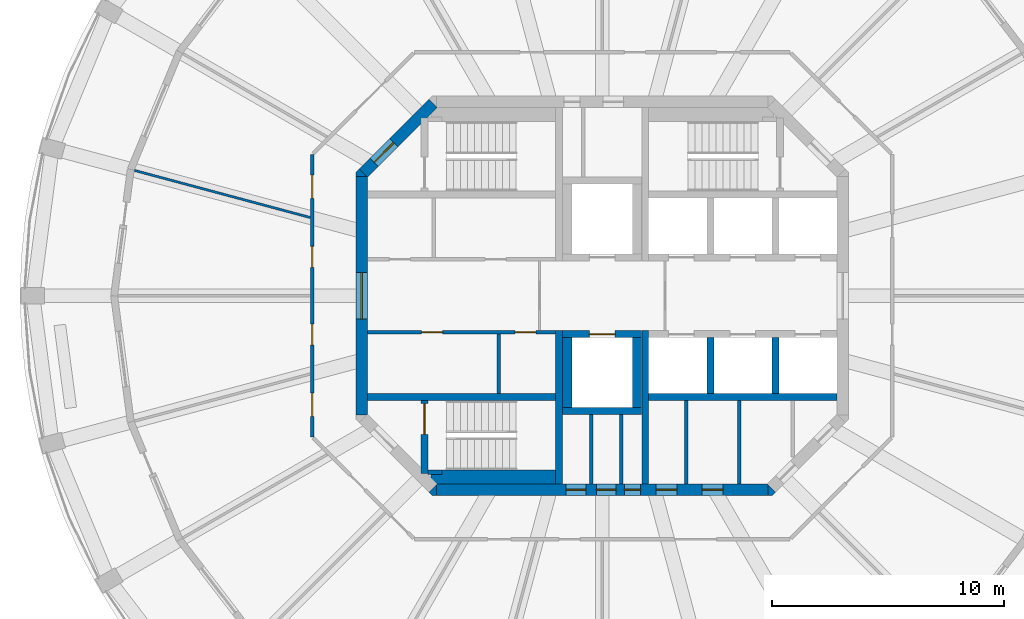
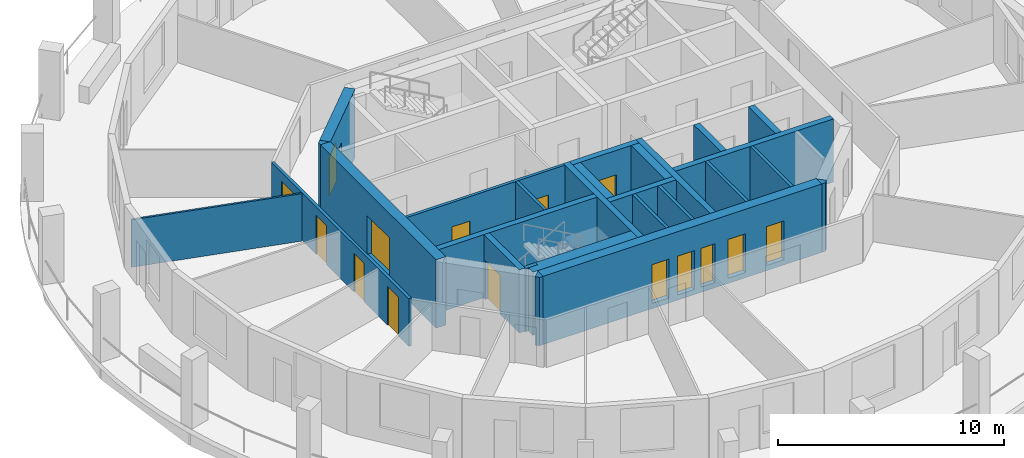
# One storey, part 3 of 9: 27 walls, 15 doors, 15 openings.
"""IFC4 building model written with IfcOpenShell, lengths in metres."""

import ifcopenshell
import ifcopenshell.guid

model = None  # the IFC model being written
_history = None  # IfcOwnerHistory: only IFC2X3 demands one
_inside = {}  # id of a spatial element -> (the spatial element, [elements in it])
_under = {}  # id of a project, library or spatial element -> (it, [spatial elements below it])
_declared = {}  # id of a project -> (the project, [libraries it declares])
_typed = {}  # id of a type object -> (the type object, [elements of that type])
_made_of = {}  # id of a material, layer set ... -> (it, [elements and type objects made of it])


def new_model(schema):
    """Start an empty IFC model of exactly this schema.

    Asked for "IFC4X3", IfcOpenShell would pick the latest addendum, in which some entities
    have other attributes; the version numbers below select the first issue.
    IFC2X3 requires an IfcOwnerHistory on every rooted entity: one is made here for all.
    """
    global model, _history
    if schema == "IFC4X3":
        model = ifcopenshell.file(schema_version=(4, 3, 0, 0))
    else:
        model = ifcopenshell.file(schema=schema)
    _inside.clear()
    _under.clear()
    _declared.clear()
    _typed.clear()
    _made_of.clear()
    _history = None
    if model.schema == "IFC2X3":
        org = make("IfcOrganization", Name="unknown")
        user = make(
            "IfcPersonAndOrganization",
            ThePerson=make("IfcPerson", FamilyName="unknown"),
            TheOrganization=org,
        )
        app = make(
            "IfcApplication",
            ApplicationDeveloper=org,
            Version="unknown",
            ApplicationFullName="unknown",
            ApplicationIdentifier="unknown",
        )
        _history = make(
            "IfcOwnerHistory",
            OwningUser=user,
            OwningApplication=app,
            ChangeAction="ADDED",
            CreationDate=0,
        )
    return model


def make(cls, **values):
    """One entity of the class cls with the attributes given. An attribute that is None is left unset."""
    return model.create_entity(
        cls, **{name: value for name, value in values.items() if value is not None}
    )


def rooted(cls, **values):
    """An entity with a GlobalId (a new one), such as an element, a storey or a relation."""
    return make(cls, GlobalId=ifcopenshell.guid.new(), OwnerHistory=_history, **values)


def si_unit(unit_type, name, prefix=None):
    """IfcSIUnit, for example si_unit("LENGTHUNIT", "METRE", prefix="MILLI")."""
    return make("IfcSIUnit", UnitType=unit_type, Prefix=prefix, Name=name)


def assignment(units):
    """IfcUnitAssignment: the units of a project."""
    return None if units is None else make("IfcUnitAssignment", Units=units)


def point(xyz):
    """IfcCartesianPoint."""
    return None if xyz is None else make("IfcCartesianPoint", Coordinates=xyz)


def direction(xyz):
    """IfcDirection."""
    return None if xyz is None else make("IfcDirection", DirectionRatios=xyz)


def frame(location, z_axis=None, x_axis=None):
    """IfcAxis2Placement3D, a coordinate frame: its origin and axes. An axis left out is left unset."""
    return make(
        "IfcAxis2Placement3D",
        Location=point(location),
        Axis=direction(z_axis),
        RefDirection=direction(x_axis),
    )


def frame_2d(location, x_axis=None):
    """IfcAxis2Placement2D, a coordinate frame in the plane: its origin and x axis."""
    return make(
        "IfcAxis2Placement2D", Location=point(location), RefDirection=direction(x_axis)
    )


def origin():
    """The frame at (0, 0, 0) with its axes left unset."""
    return frame((0.0, 0.0, 0.0))


def place(relative_to, where):
    """IfcLocalPlacement: puts the frame where relative to a parent placement (None: the world)."""
    return make(
        "IfcLocalPlacement", PlacementRelTo=relative_to, RelativePlacement=where
    )


def context(
    kind, dimensions, precision=None, world=None, true_north=None, identifier=None
):
    """IfcGeometricRepresentationContext, for example the 3D "Model" context."""
    return make(
        "IfcGeometricRepresentationContext",
        ContextIdentifier=identifier,
        ContextType=kind,
        CoordinateSpaceDimension=dimensions,
        Precision=precision,
        WorldCoordinateSystem=world,
        TrueNorth=true_north,
    )


def subcontext(parent, identifier, kind, view, scale=None):
    """IfcGeometricRepresentationSubContext, for example "Body" below "Model"."""
    return make(
        "IfcGeometricRepresentationSubContext",
        ContextIdentifier=identifier,
        ContextType=kind,
        ParentContext=parent,
        TargetScale=scale,
        TargetView=view,
    )


def project(units=None, contexts=None):
    """IfcProject with its units and contexts."""
    return rooted(
        "IfcProject",
        Name="project",
        RepresentationContexts=contexts,
        UnitsInContext=assignment(units),
    )


def spatial(cls, under=None, at=None, **own):
    """A site, building, storey or space (cls), placed at a placement, below another one or the project."""
    s = rooted(cls, ObjectPlacement=at, **own)
    if under is not None:
        _under.setdefault(under.id(), (under, []))[1].append(s)
    return s


def polyline(points):
    """IfcPolyline through the points."""
    return make("IfcPolyline", Points=[point(p) for p in points])


def profile(cls, at=None, kind="AREA", **sizes):
    """A parametric profile (cls). Its sizes go by their IFC names, for example OverallWidth=200.0."""
    return make(cls, ProfileType=kind, Position=at, **sizes)


def rectangle(**sizes):
    """IfcRectangleProfileDef."""
    return profile("IfcRectangleProfileDef", **sizes)


def outline(outer, holes=None, kind="AREA"):
    """IfcArbitraryClosedProfileDef: a profile drawn as a closed curve; with holes, ...WithVoids."""
    if holes is None:
        return make("IfcArbitraryClosedProfileDef", ProfileType=kind, OuterCurve=outer)
    return make(
        "IfcArbitraryProfileDefWithVoids",
        ProfileType=kind,
        OuterCurve=outer,
        InnerCurves=holes,
    )


def extrude(swept, where, along, depth):
    """IfcExtrudedAreaSolid: the profile swept, set in the frame where, extruded along a direction by depth."""
    return make(
        "IfcExtrudedAreaSolid",
        SweptArea=swept,
        Position=where,
        ExtrudedDirection=direction(along),
        Depth=depth,
    )


def shape(context_of_items, identifier, shape_type, items):
    """IfcShapeRepresentation: the items that make up one representation, for example the "Body"."""
    return make(
        "IfcShapeRepresentation",
        ContextOfItems=context_of_items,
        RepresentationIdentifier=identifier,
        RepresentationType=shape_type,
        Items=items,
    )


def material(Name=None, Category=None):
    """IfcMaterial."""
    return make("IfcMaterial", Name=Name, Category=Category)


def layer(
    of_material, thickness, ventilated=None, Name=None, Category=None, Priority=None
):
    """IfcMaterialLayer: one layer of a wall or slab, of a material (None: an air gap)."""
    return make(
        "IfcMaterialLayer",
        Material=of_material,
        LayerThickness=thickness,
        IsVentilated=ventilated,
        Name=Name,
        Category=Category,
        Priority=Priority,
    )


def layer_set(layers, Name=None):
    """IfcMaterialLayerSet."""
    return make("IfcMaterialLayerSet", MaterialLayers=layers, LayerSetName=Name)


def made_of(thing, what):
    """Note that an element or type object is made of a material, layer set ...; save() writes the relation."""
    if what is not None:
        _made_of.setdefault(what.id(), (what, []))[1].append(thing)
    return thing


def type_object(cls, material=None, **own):
    """A type object (cls), such as IfcWallType, which elements share."""
    return made_of(rooted(cls, **own), material)


def element(
    cls,
    number,
    at=None,
    inside=None,
    cuts=None,
    type_object=None,
    material=None,
    context=None,
    identifier="Body",
    shape_type=None,
    held_by="IfcProductDefinitionShape",
    body=None,
    shapes=None,
    **own,
):
    """One element of the class cls, such as IfcWall. Its Tag is "e" and its number.

    at: its placement. inside: the storey or other place that contains it. cuts: it is an
    opening in that element (IfcRelVoidsElement). A single representation is given by context,
    identifier, shape_type and body (its items); several are given by shapes. held_by: the class
    of the entity that holds the representations. save() writes the other relations.
    """
    e = rooted(cls, Tag="e%d" % number, ObjectPlacement=at, **own)
    if body is not None:
        shapes = [shape(context, identifier, shape_type, body)]
    if shapes is not None:
        e.Representation = make(held_by, Representations=shapes)
    if inside is not None:
        _inside.setdefault(inside.id(), (inside, []))[1].append(e)
    if cuts is not None:
        rooted(
            "IfcRelVoidsElement", RelatingBuildingElement=cuts, RelatedOpeningElement=e
        )
    if type_object is not None:
        _typed.setdefault(type_object.id(), (type_object, []))[1].append(e)
    return made_of(e, material)


def fill(opening, filler):
    """IfcRelFillsElement: the door or window that sits in an opening."""
    return rooted(
        "IfcRelFillsElement",
        RelatingOpeningElement=opening,
        RelatedBuildingElement=filler,
    )


def aggregate(whole, parts):
    """IfcRelAggregates: a whole, such as a stair, and the parts it consists of."""
    return rooted("IfcRelAggregates", RelatingObject=whole, RelatedObjects=parts)


def save(model, path):
    """Write the relations noted so far, then the file.

    IfcRelAggregates (storeys below a building ...), IfcRelContainedInSpatialStructure (elements
    in a storey), IfcRelDefinesByType, IfcRelAssociatesMaterial and IfcRelDeclares: one each for
    every whole, place, type object, material and project.
    """
    for whole, parts in _under.values():
        aggregate(whole, parts)
    for where, things in _inside.values():
        rooted(
            "IfcRelContainedInSpatialStructure",
            RelatedElements=things,
            RelatingStructure=where,
        )
    for kind, things in _typed.values():
        rooted("IfcRelDefinesByType", RelatedObjects=things, RelatingType=kind)
    for what, things in _made_of.values():
        rooted("IfcRelAssociatesMaterial", RelatedObjects=things, RelatingMaterial=what)
    for by, libraries in _declared.values():
        rooted("IfcRelDeclares", RelatingContext=by, RelatedDefinitions=libraries)
    model.write(path)


model = new_model("IFC4")

# Units and contexts
model_context = context("Model", 3, precision=1e-05, world=origin(), true_north=direction((0.0, 1.0)))
body_context = subcontext(model_context, "Body", "Model", "MODEL_VIEW")
ifc_project = project(units=[si_unit("LENGTHUNIT", "METRE"), si_unit("AREAUNIT", "SQUARE_METRE"), si_unit("VOLUMEUNIT", "CUBIC_METRE"), si_unit("PLANEANGLEUNIT", "RADIAN"), si_unit("MASSUNIT", "GRAM", prefix="KILO")], contexts=[model_context])

# Site, building, storey
site_placement = place(None, origin())
site = spatial("IfcSite", under=ifc_project, at=site_placement, CompositionType="ELEMENT")
building_placement = place(site_placement, origin())
building = spatial("IfcBuilding", under=site, at=building_placement, Name="Torre Triforio", CompositionType="ELEMENT")
storey_placement = place(building_placement, frame((0.0, 0.0, 268.60009765625)))
storey = spatial("IfcBuildingStorey", under=building, at=storey_placement, Name="L62", CompositionType="ELEMENT", Elevation=268.60009765625)

# Walls
ifc_material_1 = material(Name="Concrete C40", Category="concrete")
ifc_layer_1 = layer(ifc_material_1, 0.300048828125)
ifc_layer_set_1 = layer_set([ifc_layer_1], Name="Concrete C40")
wall_type_1 = type_object("IfcWallType", Name="Core wall 300 mm C40 EI 120", PredefinedType="SHEAR", material=ifc_layer_set_1)
for number, where, z_axis, x_axis, name in (
    (1, (-1.85009765625, -8.10009765625, 0.0), (0.0, 0.0, 1.0), (0.0, 1.0, 0.0), "Core wall"),
    (2, (1.85009765625, -8.10009765625, 0.0), (0.0, 0.0, 1.0), (0.0, 1.0, 0.0), "Core wall"),
):
    element("IfcWall", number, at=place(storey_placement, frame(where, z_axis=z_axis, x_axis=x_axis)), inside=storey, type_object=wall_type_1, Name=name, PredefinedType="SHEAR", context=body_context, shape_type="SweptSolid", body=[
        extrude(rectangle(XDim=6.60009765625, YDim=0.300048828125, at=frame_2d((3.300048828125, 0.0))), origin(), (0.0, 0.0, 1.0), 3.419921875),
    ])

# Wall, openings, doors
ifc_layer_2 = layer(ifc_material_1, 0.5)
ifc_layer_set_2 = layer_set([ifc_layer_2], Name="Concrete C40")
wall_type_2 = type_object("IfcWallType", Name="Core wall 500 mm C40 EI 120", PredefinedType="SHEAR", material=ifc_layer_set_2)
wall_1_placement = place(storey_placement, frame((-7.1298828125, -8.35009765625, -0.280029296875), z_axis=(0.0, 0.0, 1.0), x_axis=(1.0, 0.0, 0.0)))
wall_1 = element("IfcWall", 3, at=wall_1_placement, inside=storey, type_object=wall_type_2, Name="Core wall", PredefinedType="SHEAR", context=body_context, shape_type="SweptSolid", body=[
    extrude(rectangle(XDim=14.259765625, YDim=0.5, at=frame_2d((7.1298828125, 0.0))), origin(), (0.0, 0.0, 1.0), 3.699951171875),
])
opening_1_placement = place(wall_1_placement, frame((8.080078125, 0.0, 0.280029296875)))
opening_1 = element("IfcOpeningElement", 4, at=opening_1_placement, cuts=wall_1, Name="Opening RISER-S", PredefinedType="OPENING", context=body_context, shape_type="SweptSolid", body=[
    extrude(rectangle(XDim=0.699951171875, YDim=2.10009765625, at=frame_2d((0.35009765625, 1.050048828125))), frame((0.0, 0.260009765625, 0.0), z_axis=(0.0, -1.0, 0.0), x_axis=(1.0, 0.0, 0.0)), (0.0, 0.0, 1.0), 0.52001953125),
])
opening_2_placement = place(wall_1_placement, frame((5.580078125, 0.0, 0.280029296875)))
opening_2 = element("IfcOpeningElement", 5, at=opening_2_placement, cuts=wall_1, Name="Opening SW-01A", PredefinedType="OPENING", context=body_context, shape_type="SweptSolid", body=[
    extrude(rectangle(XDim=0.85009765625, YDim=2.10009765625, at=frame_2d((0.425048828125, 1.050048828125))), frame((0.0, 0.260009765625, 0.0), z_axis=(0.0, -1.0, 0.0), x_axis=(1.0, 0.0, 0.0)), (0.0, 0.0, 1.0), 0.52001953125),
])
opening_3_placement = place(wall_1_placement, frame((6.8798828125, 0.0, 0.280029296875)))
opening_3 = element("IfcOpeningElement", 6, at=opening_3_placement, cuts=wall_1, Name="Opening SW-02", PredefinedType="OPENING", context=body_context, shape_type="SweptSolid", body=[
    extrude(rectangle(XDim=0.85009765625, YDim=2.10009765625, at=frame_2d((0.425048828125, 1.050048828125))), frame((0.0, 0.260009765625, 0.0), z_axis=(0.0, -1.0, 0.0), x_axis=(1.0, 0.0, 0.0)), (0.0, 0.0, 1.0), 0.52001953125),
])
opening_4_placement = place(wall_1_placement, frame((9.445068359375, 0.0, 0.280029296875)))
opening_4 = element("IfcOpeningElement", 7, at=opening_4_placement, cuts=wall_1, Name="Opening SE-01A", PredefinedType="OPENING", context=body_context, shape_type="SweptSolid", body=[
    extrude(rectangle(XDim=0.89990234375, YDim=2.10009765625, at=frame_2d((0.449951171875, 1.050048828125))), frame((0.0, 0.260009765625, 0.0), z_axis=(0.0, -1.0, 0.0), x_axis=(1.0, 0.0, 0.0)), (0.0, 0.0, 1.0), 0.52001953125),
])
opening_5_placement = place(wall_1_placement, frame((11.430908203125, 0.0, 0.280029296875)))
opening_5 = element("IfcOpeningElement", 8, at=opening_5_placement, cuts=wall_1, Name="Opening SE-02", PredefinedType="OPENING", context=body_context, shape_type="SweptSolid", body=[
    extrude(rectangle(XDim=0.89990234375, YDim=2.10009765625, at=frame_2d((0.449951171875, 1.050048828125))), frame((0.0, 0.260009765625, 0.0), z_axis=(0.0, -1.0, 0.0), x_axis=(1.0, 0.0, 0.0)), (0.0, 0.0, 1.0), 0.52001953125),
])
ifc_material_2 = material(Name="Hollow metal fire door leaf")
door_type_1 = type_object("IfcDoorType", Name="Riser door 700 x 2100 EI 60", OperationType="NOTDEFINED", PredefinedType="DOOR", material=ifc_material_2)
door_1_placement = place(opening_1_placement, origin())
door_1 = element("IfcDoor", 9, at=door_1_placement, inside=storey, type_object=door_type_1, Name="Core door RISER-S", OperationType="SINGLE_SWING_RIGHT", OverallHeight=2.10009765625, OverallWidth=0.699951171875, PredefinedType="DOOR", context=body_context, shape_type="SweptSolid", body=[
    extrude(rectangle(XDim=0.699951171875, YDim=2.10009765625, at=frame_2d((0.35009765625, 1.050048828125))), frame((0.0, 0.02490234375, 0.0), z_axis=(0.0, -1.0, 0.0), x_axis=(1.0, 0.0, 0.0)), (0.0, 0.0, 1.0), 0.050048828125),
])
fill(opening_1, door_1)
door_type_2 = type_object("IfcDoorType", Name="Room door 850 x 2100 EI 60", OperationType="NOTDEFINED", PredefinedType="DOOR", material=ifc_material_2)
door_2_placement = place(opening_2_placement, origin())
door_2 = element("IfcDoor", 10, at=door_2_placement, inside=storey, type_object=door_type_2, Name="Core door SW-01", OperationType="SINGLE_SWING_RIGHT", OverallHeight=2.10009765625, OverallWidth=0.85009765625, PredefinedType="DOOR", context=body_context, shape_type="SweptSolid", body=[
    extrude(rectangle(XDim=0.85009765625, YDim=2.10009765625, at=frame_2d((0.425048828125, 1.050048828125))), frame((0.0, 0.02490234375, 0.0), z_axis=(0.0, -1.0, 0.0), x_axis=(1.0, 0.0, 0.0)), (0.0, 0.0, 1.0), 0.050048828125),
])
fill(opening_2, door_2)
door_3_placement = place(opening_3_placement, origin())
door_3 = element("IfcDoor", 11, at=door_3_placement, inside=storey, type_object=door_type_2, Name="Core door SW-02", OperationType="SINGLE_SWING_LEFT", OverallHeight=2.10009765625, OverallWidth=0.85009765625, PredefinedType="DOOR", context=body_context, shape_type="SweptSolid", body=[
    extrude(rectangle(XDim=0.85009765625, YDim=2.10009765625, at=frame_2d((0.425048828125, 1.050048828125))), frame((0.0, 0.02490234375, 0.0), z_axis=(0.0, -1.0, 0.0), x_axis=(1.0, 0.0, 0.0)), (0.0, 0.0, 1.0), 0.050048828125),
])
fill(opening_3, door_3)
door_type_3 = type_object("IfcDoorType", Name="Room door 900 x 2100 EI 60", OperationType="NOTDEFINED", PredefinedType="DOOR", material=ifc_material_2)
door_4_placement = place(opening_4_placement, origin())
door_4 = element("IfcDoor", 12, at=door_4_placement, inside=storey, type_object=door_type_3, Name="Core door SE-01", OperationType="SINGLE_SWING_RIGHT", OverallHeight=2.10009765625, OverallWidth=0.89990234375, PredefinedType="DOOR", context=body_context, shape_type="SweptSolid", body=[
    extrude(rectangle(XDim=0.89990234375, YDim=2.10009765625, at=frame_2d((0.449951171875, 1.050048828125))), frame((0.0, 0.02490234375, 0.0), z_axis=(0.0, -1.0, 0.0), x_axis=(1.0, 0.0, 0.0)), (0.0, 0.0, 1.0), 0.050048828125),
])
fill(opening_4, door_4)
door_5_placement = place(opening_5_placement, origin())
door_5 = element("IfcDoor", 13, at=door_5_placement, inside=storey, type_object=door_type_3, Name="Core door SE-02", OperationType="SINGLE_SWING_LEFT", OverallHeight=2.10009765625, OverallWidth=0.89990234375, PredefinedType="DOOR", context=body_context, shape_type="SweptSolid", body=[
    extrude(rectangle(XDim=0.89990234375, YDim=2.10009765625, at=frame_2d((0.449951171875, 1.050048828125))), frame((0.0, 0.02490234375, 0.0), z_axis=(0.0, -1.0, 0.0), x_axis=(1.0, 0.0, 0.0)), (0.0, 0.0, 1.0), 0.050048828125),
])
fill(opening_5, door_5)

# Wall, opening, door
wall_2_placement = place(storey_placement, frame((-10.35009765625, -5.1298828125, -0.280029296875), z_axis=(0.0, 0.0, 1.0), x_axis=(0.0, 1.0, 0.0)))
wall_2 = element("IfcWall", 14, at=wall_2_placement, inside=storey, type_object=wall_type_2, Name="Core wall", PredefinedType="SHEAR", context=body_context, shape_type="SweptSolid", body=[
    extrude(rectangle(XDim=10.259765625, YDim=0.5, at=frame_2d((5.1298828125, 0.0))), origin(), (0.0, 0.0, 1.0), 3.699951171875),
])
opening_6_placement = place(wall_2_placement, frame((4.1298828125, 0.0, 0.280029296875)))
opening_6 = element("IfcOpeningElement", 15, at=opening_6_placement, cuts=wall_2, Name="Opening W-RING", PredefinedType="OPENING", context=body_context, shape_type="SweptSolid", body=[
    extrude(rectangle(XDim=2.0, YDim=2.10009765625, at=frame_2d((1.0, 1.050048828125))), frame((0.0, 0.260009765625, 0.0), z_axis=(0.0, -1.0, 0.0), x_axis=(1.0, 0.0, 0.0)), (0.0, 0.0, 1.0), 0.52001953125),
])
door_type_4 = type_object("IfcDoorType", Name="Lobby door 2000 x 2100 EI 60", OperationType="DOUBLE_DOOR_SINGLE_SWING", PredefinedType="DOOR", material=ifc_material_2)
door_6_placement = place(opening_6_placement, origin())
door_6 = element("IfcDoor", 16, at=door_6_placement, inside=storey, type_object=door_type_4, Name="Core door W-RING", OperationType="DOUBLE_DOOR_SINGLE_SWING", OverallHeight=2.10009765625, OverallWidth=2.0, PredefinedType="DOOR", context=body_context, shape_type="SweptSolid", body=[
    extrude(rectangle(XDim=2.0, YDim=2.10009765625, at=frame_2d((1.0, 1.050048828125))), frame((0.0, 0.02490234375, 0.0), z_axis=(0.0, -1.0, 0.0), x_axis=(1.0, 0.0, 0.0)), (0.0, 0.0, 1.0), 0.050048828125),
])
fill(opening_6, door_6)

wall_3_placement = place(storey_placement, frame((-10.27685546875, 5.27685546875, -0.280029296875), z_axis=(0.0, 0.0, 1.0), x_axis=(0.707106781187, 0.707106781187, 0.0)))
wall_3 = element("IfcWall", 17, at=wall_3_placement, inside=storey, type_object=wall_type_2, Name="Core wall", PredefinedType="SHEAR", context=body_context, shape_type="SweptSolid", body=[
    extrude(rectangle(XDim=4.24267578125, YDim=0.5, at=frame_2d((2.121337890625, 0.0))), origin(), (0.0, 0.0, 1.0), 3.699951171875),
])
opening_7_placement = place(wall_3_placement, frame((0.64990234375, 0.0, 0.280029296875)))
opening_7 = element("IfcOpeningElement", 18, at=opening_7_placement, cuts=wall_3, Name="Opening ST1-EXIT", PredefinedType="OPENING", context=body_context, shape_type="SweptSolid", body=[
    extrude(rectangle(XDim=1.199951171875, YDim=2.10009765625, at=frame_2d((0.60009765625, 1.050048828125))), frame((0.0, 0.260009765625, 0.0), z_axis=(0.0, -1.0, 0.0), x_axis=(1.0, 0.0, 0.0)), (0.0, 0.0, 1.0), 0.52001953125),
])
door_type_5 = type_object("IfcDoorType", Name="Stair lobby door 1200 x 2100 EI 60", OperationType="NOTDEFINED", PredefinedType="DOOR", material=ifc_material_2)
door_7_placement = place(opening_7_placement, origin())
door_7 = element("IfcDoor", 19, at=door_7_placement, inside=storey, type_object=door_type_5, Name="Core door ST1-EXIT", OperationType="SINGLE_SWING_RIGHT", OverallHeight=2.10009765625, OverallWidth=1.199951171875, PredefinedType="DOOR", context=body_context, shape_type="SweptSolid", body=[
    extrude(rectangle(XDim=1.199951171875, YDim=2.10009765625, at=frame_2d((0.60009765625, 1.050048828125))), frame((0.0, 0.02490234375, 0.0), z_axis=(0.0, -1.0, 0.0), x_axis=(1.0, 0.0, 0.0)), (0.0, 0.0, 1.0), 0.050048828125),
])
fill(opening_7, door_7)

# Walls
wall_4_placement = place(storey_placement, frame((0.0, 0.0, -0.280029296875)))
element("IfcWall", 20, at=wall_4_placement, inside=storey, type_object=wall_type_2, Name="Core wall", PredefinedType="SHEAR", context=body_context, shape_type="SweptSolid", body=[
    extrude(outline(polyline([(-7.30712890625, -8.60009765625), (-7.45361328125, -8.45361328125), (-7.1298828125, -8.1298828125), (-7.1298828125, -8.60009765625), (-7.30712890625, -8.60009765625)])), origin(), (0.0, 0.0, 1.0), 3.699951171875),
])
wall_5_placement = place(storey_placement, frame((0.0, 0.0, -0.280029296875)))
element("IfcWall", 21, at=wall_5_placement, inside=storey, type_object=wall_type_2, Name="Core wall", PredefinedType="SHEAR", context=body_context, shape_type="SweptSolid", body=[
    extrude(outline(polyline([(7.30712890625, -8.60009765625), (7.1298828125, -8.60009765625), (7.1298828125, -8.1298828125), (7.45361328125, -8.45361328125), (7.30712890625, -8.60009765625)])), origin(), (0.0, 0.0, 1.0), 3.699951171875),
])
wall_6_placement = place(storey_placement, frame((0.0, 0.0, -0.280029296875)))
element("IfcWall", 22, at=wall_6_placement, inside=storey, type_object=wall_type_2, Name="Core wall", PredefinedType="SHEAR", context=body_context, shape_type="SweptSolid", body=[
    extrude(outline(polyline([(-10.45361328125, 5.45361328125), (-10.1298828125, 5.1298828125), (-10.60009765625, 5.1298828125), (-10.60009765625, 5.30712890625), (-10.45361328125, 5.45361328125)])), origin(), (0.0, 0.0, 1.0), 3.699951171875),
])

# Wall, openings, doors
ifc_material_3 = material(Name="Plasterboard on metal studs")
ifc_layer_3 = layer(ifc_material_3, 0.14990234375)
ifc_layer_set_3 = layer_set([ifc_layer_3], Name="Plasterboard on metal studs")
wall_type_3 = type_object("IfcWallType", Name="Corridor and tenancy wall 150 mm EI 60", PredefinedType="PARTITIONING", material=ifc_layer_set_3)
wall_7_placement = place(storey_placement, frame((-12.47509765625, -6.083740234375, 0.0), z_axis=(0.0, 0.0, 1.0), x_axis=(0.0, 1.0, 0.0)))
wall_7 = element("IfcWall", 23, at=wall_7_placement, inside=storey, type_object=wall_type_3, Name="Partition 4", PredefinedType="PARTITIONING", context=body_context, shape_type="SweptSolid", body=[
    extrude(rectangle(XDim=12.16748046875, YDim=0.14990234375, at=frame_2d((6.083740234375, 0.0))), origin(), (0.0, 0.0, 1.0), 2.56982421875),
])
opening_8_placement = place(wall_7_placement, frame((10.27197265625, 0.0, 0.0)))
opening_8 = element("IfcOpeningElement", 24, at=opening_8_placement, cuts=wall_7, Name="Opening E2-13", PredefinedType="OPENING", context=body_context, shape_type="SweptSolid", body=[
    extrude(rectangle(XDim=1.0, YDim=2.10009765625, at=frame_2d((0.5, 1.050048828125))), frame((0.0, 0.0849609375, 0.0), z_axis=(0.0, -1.0, 0.0), x_axis=(1.0, 0.0, 0.0)), (0.0, 0.0, 1.0), 0.169921875),
])
opening_9_placement = place(wall_7_placement, frame((7.305908203125, 0.0, 0.0)))
opening_9 = element("IfcOpeningElement", 25, at=opening_9_placement, cuts=wall_7, Name="Opening E2-14", PredefinedType="OPENING", context=body_context, shape_type="SweptSolid", body=[
    extrude(rectangle(XDim=0.89990234375, YDim=2.10009765625, at=frame_2d((0.449951171875, 1.050048828125))), frame((0.0, 0.0849609375, 0.0), z_axis=(0.0, -1.0, 0.0), x_axis=(1.0, 0.0, 0.0)), (0.0, 0.0, 1.0), 0.169921875),
])
opening_10_placement = place(wall_7_placement, frame((3.96142578125, 0.0, 0.0)))
opening_10 = element("IfcOpeningElement", 26, at=opening_10_placement, cuts=wall_7, Name="Opening E2-15", PredefinedType="OPENING", context=body_context, shape_type="SweptSolid", body=[
    extrude(rectangle(XDim=0.89990234375, YDim=2.10009765625, at=frame_2d((0.449951171875, 1.050048828125))), frame((0.0, 0.0849609375, 0.0), z_axis=(0.0, -1.0, 0.0), x_axis=(1.0, 0.0, 0.0)), (0.0, 0.0, 1.0), 0.169921875),
])
opening_11_placement = place(wall_7_placement, frame((0.8955078125, 0.0, 0.0)))
opening_11 = element("IfcOpeningElement", 27, at=opening_11_placement, cuts=wall_7, Name="Opening E2-16", PredefinedType="OPENING", context=body_context, shape_type="SweptSolid", body=[
    extrude(rectangle(XDim=1.0, YDim=2.10009765625, at=frame_2d((0.5, 1.050048828125))), frame((0.0, 0.0849609375, 0.0), z_axis=(0.0, -1.0, 0.0), x_axis=(1.0, 0.0, 0.0)), (0.0, 0.0, 1.0), 0.169921875),
])
ifc_material_4 = material(Name="Timber", Category="wood")
door_type_6 = type_object("IfcDoorType", Name="Door 1000 x 2100 single leaf EI 30", OperationType="NOTDEFINED", PredefinedType="DOOR", material=ifc_material_4)
door_8_placement = place(opening_8_placement, origin())
door_8 = element("IfcDoor", 28, at=door_8_placement, inside=storey, type_object=door_type_6, Name="Door E2-13", OperationType="SINGLE_SWING_LEFT", OverallHeight=2.10009765625, OverallWidth=1.0, PredefinedType="DOOR", context=body_context, shape_type="SweptSolid", body=[
    extrude(rectangle(XDim=1.0, YDim=2.10009765625, at=frame_2d((0.5, 1.050048828125))), frame((0.0, 0.02490234375, 0.0), z_axis=(0.0, -1.0, 0.0), x_axis=(1.0, 0.0, 0.0)), (0.0, 0.0, 1.0), 0.050048828125),
])
fill(opening_8, door_8)
door_9_placement = place(opening_11_placement, origin())
door_9 = element("IfcDoor", 29, at=door_9_placement, inside=storey, type_object=door_type_6, Name="Door E2-16", OperationType="SINGLE_SWING_LEFT", OverallHeight=2.10009765625, OverallWidth=1.0, PredefinedType="DOOR", context=body_context, shape_type="SweptSolid", body=[
    extrude(rectangle(XDim=1.0, YDim=2.10009765625, at=frame_2d((0.5, 1.050048828125))), frame((0.0, 0.02490234375, 0.0), z_axis=(0.0, -1.0, 0.0), x_axis=(1.0, 0.0, 0.0)), (0.0, 0.0, 1.0), 0.050048828125),
])
fill(opening_11, door_9)
door_type_7 = type_object("IfcDoorType", Name="Door 900 x 2100 single leaf EI 30", OperationType="NOTDEFINED", PredefinedType="DOOR", material=ifc_material_4)
door_10_placement = place(opening_9_placement, origin())
door_10 = element("IfcDoor", 30, at=door_10_placement, inside=storey, type_object=door_type_7, Name="Door E2-14", OperationType="SINGLE_SWING_LEFT", OverallHeight=2.10009765625, OverallWidth=0.89990234375, PredefinedType="DOOR", context=body_context, shape_type="SweptSolid", body=[
    extrude(rectangle(XDim=0.89990234375, YDim=2.10009765625, at=frame_2d((0.449951171875, 1.050048828125))), frame((0.0, 0.02490234375, 0.0), z_axis=(0.0, -1.0, 0.0), x_axis=(1.0, 0.0, 0.0)), (0.0, 0.0, 1.0), 0.050048828125),
])
fill(opening_9, door_10)
door_11_placement = place(opening_10_placement, origin())
door_11 = element("IfcDoor", 31, at=door_11_placement, inside=storey, type_object=door_type_7, Name="Door E2-15", OperationType="SINGLE_SWING_RIGHT", OverallHeight=2.10009765625, OverallWidth=0.89990234375, PredefinedType="DOOR", context=body_context, shape_type="SweptSolid", body=[
    extrude(rectangle(XDim=0.89990234375, YDim=2.10009765625, at=frame_2d((0.449951171875, 1.050048828125))), frame((0.0, 0.02490234375, 0.0), z_axis=(0.0, -1.0, 0.0), x_axis=(1.0, 0.0, 0.0)), (0.0, 0.0, 1.0), 0.050048828125),
])
fill(opening_10, door_11)

# Walls
ifc_layer_4 = layer(ifc_material_3, 0.10009765625)
ifc_layer_set_4 = layer_set([ifc_layer_4], Name="Plasterboard on metal studs")
wall_type_4 = type_object("IfcWallType", Name="Partition 100 mm board on metal studs", PredefinedType="PARTITIONING", material=ifc_layer_set_4)
wall_8_placement = place(storey_placement, frame((-12.564208984375, 3.36669921875, 0.0), z_axis=(0.0, 0.0, 1.0), x_axis=(-0.965933576344, 0.258790119773, 0.0)))
element("IfcWall", 32, at=wall_8_placement, inside=storey, type_object=wall_type_4, Name="Partition 16", PredefinedType="PARTITIONING", context=body_context, shape_type="SweptSolid", body=[
    extrude(rectangle(XDim=7.8291015625, YDim=0.10009765625, at=frame_2d((3.91455078125, 0.0))), origin(), (0.0, 0.0, 1.0), 2.56982421875),
])
ifc_material_5 = material(Name="Block and board partition")
ifc_layer_5 = layer(ifc_material_5, 0.14990234375)
ifc_layer_set_5 = layer_set([ifc_layer_5], Name="Block and board partition")
wall_type_5 = type_object("IfcWallType", Name="Partition 150 mm", PredefinedType="PARTITIONING", material=ifc_layer_set_5)
wall_9_placement = place(storey_placement, frame((-0.47509765625, -8.10009765625, 0.0), z_axis=(0.0, 0.0, 1.0), x_axis=(0.0, 1.0, 0.0)))
element("IfcWall", 33, at=wall_9_placement, inside=storey, type_object=wall_type_5, Name="Partition", PredefinedType="PARTITIONING", context=body_context, shape_type="SweptSolid", body=[
    extrude(rectangle(XDim=3.0, YDim=0.14990234375, at=frame_2d((1.5, 0.0))), origin(), (0.0, 0.0, 1.0), 3.419921875),
])
for number, where, z_axis, x_axis, name in (
    (34, (3.60498046875, -8.10009765625, 0.0), (0.0, 0.0, 1.0), (0.0, 1.0, 0.0), "Partition"),
    (35, (5.89697265625, -8.10009765625, 0.0), (0.0, 0.0, 1.0), (0.0, 1.0, 0.0), "Partition"),
):
    element("IfcWall", number, at=place(storey_placement, frame(where, z_axis=z_axis, x_axis=x_axis)), inside=storey, type_object=wall_type_5, Name=name, PredefinedType="PARTITIONING", context=body_context, shape_type="SweptSolid", body=[
        extrude(rectangle(XDim=3.60009765625, YDim=0.14990234375, at=frame_2d((1.800048828125, 0.0))), origin(), (0.0, 0.0, 1.0), 3.419921875),
    ])
wall_10_placement = place(storey_placement, frame((-4.4599609375, -4.199951171875, 0.0), z_axis=(0.0, 0.0, 1.0), x_axis=(0.0, 1.0, 0.0)))
element("IfcWall", 36, at=wall_10_placement, inside=storey, type_object=wall_type_5, Name="Partition", PredefinedType="PARTITIONING", context=body_context, shape_type="SweptSolid", body=[
    extrude(rectangle(XDim=2.550048828125, YDim=0.14990234375, at=frame_2d((1.27490234375, 0.0))), origin(), (0.0, 0.0, 1.0), 3.419921875),
])
ifc_layer_6 = layer(ifc_material_5, 0.14990234375)
ifc_layer_set_6 = layer_set([ifc_layer_6], Name="Block and board partition")
wall_type_6 = type_object("IfcWallType", Name="Partition 150 mm EI 120", PredefinedType="PARTITIONING", material=ifc_layer_set_6)
wall_11_placement = place(storey_placement, frame((0.824951171875, -8.10009765625, 0.0), z_axis=(0.0, 0.0, 1.0), x_axis=(0.0, 1.0, 0.0)))
element("IfcWall", 37, at=wall_11_placement, inside=storey, type_object=wall_type_6, Name="Partition", PredefinedType="PARTITIONING", context=body_context, shape_type="SweptSolid", body=[
    extrude(rectangle(XDim=3.0, YDim=0.14990234375, at=frame_2d((1.5, 0.0))), origin(), (0.0, 0.0, 1.0), 3.419921875),
])

# Wall, openings, doors
wall_12_placement = place(storey_placement, frame((-10.10009765625, -1.574951171875, 0.0), z_axis=(0.0, 0.0, 1.0), x_axis=(1.0, 0.0, 0.0)))
wall_12 = element("IfcWall", 38, at=wall_12_placement, inside=storey, type_object=wall_type_6, Name="Partition", PredefinedType="PARTITIONING", context=body_context, shape_type="SweptSolid", body=[
    extrude(rectangle(XDim=8.10009765625, YDim=0.14990234375, at=frame_2d((4.050048828125, 0.0))), origin(), (0.0, 0.0, 1.0), 3.419921875),
])
opening_12_placement = place(wall_12_placement, frame((2.33251953125, 0.0, 0.0)))
opening_12 = element("IfcOpeningElement", 39, at=opening_12_placement, cuts=wall_12, Name="Opening FS-01", PredefinedType="OPENING", context=body_context, shape_type="SweptSolid", body=[
    extrude(rectangle(XDim=0.89990234375, YDim=2.10009765625, at=frame_2d((0.449951171875, 1.050048828125))), frame((0.0, 0.0849609375, 0.0), z_axis=(0.0, -1.0, 0.0), x_axis=(1.0, 0.0, 0.0)), (0.0, 0.0, 1.0), 0.169921875),
])
opening_13_placement = place(wall_12_placement, frame((6.35009765625, 0.0, 0.0)))
opening_13 = element("IfcOpeningElement", 40, at=opening_13_placement, cuts=wall_12, Name="Opening FS-02A", PredefinedType="OPENING", context=body_context, shape_type="SweptSolid", body=[
    extrude(rectangle(XDim=0.89990234375, YDim=2.10009765625, at=frame_2d((0.449951171875, 1.050048828125))), frame((0.0, 0.0849609375, 0.0), z_axis=(0.0, -1.0, 0.0), x_axis=(1.0, 0.0, 0.0)), (0.0, 0.0, 1.0), 0.169921875),
])
door_type_8 = type_object("IfcDoorType", Name="Plant room door 900 x 2100 EI 60", OperationType="NOTDEFINED", PredefinedType="DOOR", material=ifc_material_2)
door_12_placement = place(opening_13_placement, origin())
door_12 = element("IfcDoor", 41, at=door_12_placement, inside=storey, type_object=door_type_8, Name="Core door FS-02", OperationType="SINGLE_SWING_LEFT", OverallHeight=2.10009765625, OverallWidth=0.89990234375, PredefinedType="DOOR", context=body_context, shape_type="SweptSolid", body=[
    extrude(rectangle(XDim=0.89990234375, YDim=2.10009765625, at=frame_2d((0.449951171875, 1.050048828125))), frame((0.0, 0.02490234375, 0.0), z_axis=(0.0, -1.0, 0.0), x_axis=(1.0, 0.0, 0.0)), (0.0, 0.0, 1.0), 0.050048828125),
])
fill(opening_13, door_12)
door_13_placement = place(opening_12_placement, origin())
door_13 = element("IfcDoor", 42, at=door_13_placement, inside=storey, type_object=door_type_3, Name="Core door FS-01", OperationType="SINGLE_SWING_LEFT", OverallHeight=2.10009765625, OverallWidth=0.89990234375, PredefinedType="DOOR", context=body_context, shape_type="SweptSolid", body=[
    extrude(rectangle(XDim=0.89990234375, YDim=2.10009765625, at=frame_2d((0.449951171875, 1.050048828125))), frame((0.0, 0.02490234375, 0.0), z_axis=(0.0, -1.0, 0.0), x_axis=(1.0, 0.0, 0.0)), (0.0, 0.0, 1.0), 0.050048828125),
])
fill(opening_12, door_13)

# Walls
ifc_layer_7 = layer(ifc_material_1, 0.300048828125)
ifc_layer_set_7 = layer_set([ifc_layer_7], Name="Concrete C40")
wall_type_7 = type_object("IfcWallType", Name="Shaft wall 300 mm C40 EI 120", PredefinedType="SOLIDWALL", material=ifc_layer_set_7)
for number, where, z_axis, x_axis, name in (
    (43, (-10.10009765625, -4.35009765625, 0.0), (0.0, 0.0, 1.0), (1.0, 0.0, 0.0), "Shaft wall"),
    (44, (2.0, -4.35009765625, 0.0), (0.0, 0.0, 1.0), (1.0, 0.0, 0.0), "Shaft wall"),
):
    element("IfcWall", number, at=place(storey_placement, frame(where, z_axis=z_axis, x_axis=x_axis)), inside=storey, type_object=wall_type_7, Name=name, PredefinedType="SOLIDWALL", context=body_context, shape_type="SweptSolid", body=[
        extrude(rectangle(XDim=8.10009765625, YDim=0.300048828125, at=frame_2d((4.050048828125, 0.0))), origin(), (0.0, 0.0, 1.0), 3.419921875),
    ])
for number, where, z_axis, x_axis, name in (
    (45, (4.64990234375, -4.199951171875, 0.0), (0.0, 0.0, 1.0), (0.0, 1.0, 0.0), "Shaft wall"),
    (46, (7.449951171875, -4.199951171875, 0.0), (0.0, 0.0, 1.0), (0.0, 1.0, 0.0), "Shaft wall"),
):
    element("IfcWall", number, at=place(storey_placement, frame(where, z_axis=z_axis, x_axis=x_axis)), inside=storey, type_object=wall_type_7, Name=name, PredefinedType="SOLIDWALL", context=body_context, shape_type="SweptSolid", body=[
        extrude(rectangle(XDim=2.39990234375, YDim=0.300048828125, at=frame_2d((1.199951171875, 0.0))), origin(), (0.0, 0.0, 1.0), 3.419921875),
    ])

# Wall, opening, door
wall_13_placement = place(storey_placement, frame((-1.699951171875, -1.64990234375, 0.0), z_axis=(0.0, 0.0, 1.0), x_axis=(1.0, 0.0, 0.0)))
wall_13 = element("IfcWall", 47, at=wall_13_placement, inside=storey, type_object=wall_type_7, Name="Shaft wall", PredefinedType="SOLIDWALL", context=body_context, shape_type="SweptSolid", body=[
    extrude(rectangle(XDim=3.39990234375, YDim=0.300048828125, at=frame_2d((1.699951171875, 0.0))), origin(), (0.0, 0.0, 1.0), 3.419921875),
])
opening_14_placement = place(wall_13_placement, frame((1.14990234375, 0.0, 0.0)))
opening_14 = element("IfcOpeningElement", 48, at=opening_14_placement, cuts=wall_13, Name="Opening LD", PredefinedType="OPENING", context=body_context, shape_type="SweptSolid", body=[
    extrude(rectangle(XDim=1.10009765625, YDim=2.10009765625, at=frame_2d((0.550048828125, 1.050048828125))), frame((0.0, 0.159912109375, 0.0), z_axis=(0.0, -1.0, 0.0), x_axis=(1.0, 0.0, 0.0)), (0.0, 0.0, 1.0), 0.320068359375),
])
door_type_9 = type_object("IfcDoorType", Name="Landing door 1100 x 2100 EI 60", OperationType="DOUBLE_DOOR_SLIDING", PredefinedType="DOOR", material=ifc_material_2)
door_14_placement = place(opening_14_placement, origin())
door_14 = element("IfcDoor", 49, at=door_14_placement, inside=storey, type_object=door_type_9, Name="Landing door FFL2", OperationType="DOUBLE_DOOR_SLIDING", OverallHeight=2.10009765625, OverallWidth=1.10009765625, PredefinedType="DOOR", context=body_context, shape_type="SweptSolid", body=[
    extrude(rectangle(XDim=1.10009765625, YDim=2.10009765625, at=frame_2d((0.550048828125, 1.050048828125))), frame((0.0, 0.02490234375, 0.0), z_axis=(0.0, -1.0, 0.0), x_axis=(1.0, 0.0, 0.0)), (0.0, 0.0, 1.0), 0.050048828125),
])
fill(opening_14, door_14)

# Walls
wall_14_placement = place(storey_placement, frame((-1.699951171875, -4.949951171875, 0.0), z_axis=(0.0, 0.0, 1.0), x_axis=(1.0, 0.0, 0.0)))
element("IfcWall", 50, at=wall_14_placement, inside=storey, type_object=wall_type_7, Name="Shaft wall", PredefinedType="SOLIDWALL", context=body_context, shape_type="SweptSolid", body=[
    extrude(rectangle(XDim=3.39990234375, YDim=0.300048828125, at=frame_2d((1.699951171875, 0.0))), origin(), (0.0, 0.0, 1.0), 3.419921875),
])
ifc_layer_8 = layer(ifc_material_1, 0.39990234375)
ifc_layer_set_8 = layer_set([ifc_layer_8], Name="Concrete C40")
wall_type_8 = type_object("IfcWallType", Name="Shaft wall 400 mm C40 EI 120", PredefinedType="SOLIDWALL", material=ifc_layer_set_8)
for number, where, z_axis, x_axis, name in (
    (51, (-1.5, -4.800048828125, 0.0), (0.0, 0.0, 1.0), (0.0, 1.0, 0.0), "Shaft wall"),
    (52, (1.5, -4.800048828125, 0.0), (0.0, 0.0, 1.0), (0.0, 1.0, 0.0), "Shaft wall"),
):
    element("IfcWall", number, at=place(storey_placement, frame(where, z_axis=z_axis, x_axis=x_axis)), inside=storey, type_object=wall_type_8, Name=name, PredefinedType="SOLIDWALL", context=body_context, shape_type="SweptSolid", body=[
        extrude(rectangle(XDim=3.0, YDim=0.39990234375, at=frame_2d((1.5, 0.0))), origin(), (0.0, 0.0, 1.0), 3.419921875),
    ])
ifc_layer_9 = layer(ifc_material_1, 0.199951171875)
ifc_layer_set_9 = layer_set([ifc_layer_9], Name="Concrete C40")
wall_type_9 = type_object("IfcWallType", Name="Stair wall 200 mm C40 EI 120", PredefinedType="SHEAR", material=ifc_layer_set_9)
wall_15_placement = place(storey_placement, frame((-7.5, -7.60009765625, 0.0), z_axis=(0.0, 0.0, 1.0), x_axis=(1.0, 0.0, 0.0)))
element("IfcWall", 53, at=wall_15_placement, inside=storey, type_object=wall_type_9, Name="Stair wall", PredefinedType="SHEAR", context=body_context, shape_type="SweptSolid", body=[
    extrude(rectangle(XDim=0.60009765625, YDim=0.199951171875, at=frame_2d((0.300048828125, 0.0))), origin(), (0.0, 0.0, 1.0), 3.419921875),
])

# Wall, opening, door
ifc_layer_10 = layer(ifc_material_1, 0.300048828125)
ifc_layer_set_10 = layer_set([ifc_layer_10], Name="Concrete C40")
wall_type_10 = type_object("IfcWallType", Name="Stair wall 300 mm C40 EI 120", PredefinedType="SHEAR", material=ifc_layer_set_10)
wall_16_placement = place(storey_placement, frame((-7.64990234375, -7.639892578125, 0.0), z_axis=(0.0, 0.0, 1.0), x_axis=(0.0, 1.0, 0.0)))
wall_16 = element("IfcWall", 54, at=wall_16_placement, inside=storey, type_object=wall_type_10, Name="Stair wall", PredefinedType="SHEAR", context=body_context, shape_type="SweptSolid", body=[
    extrude(rectangle(XDim=3.139892578125, YDim=0.300048828125, at=frame_2d((1.56982421875, 0.0))), origin(), (0.0, 0.0, 1.0), 3.419921875),
])
opening_15_placement = place(wall_16_placement, frame((1.679931640625, 0.0, 0.0)))
opening_15 = element("IfcOpeningElement", 55, at=opening_15_placement, cuts=wall_16, Name="Opening ST3-STA", PredefinedType="OPENING", context=body_context, shape_type="SweptSolid", body=[
    extrude(rectangle(XDim=1.320068359375, YDim=2.10009765625, at=frame_2d((0.66015625, 1.050048828125))), frame((0.0, 0.159912109375, 0.0), z_axis=(0.0, -1.0, 0.0), x_axis=(1.0, 0.0, 0.0)), (0.0, 0.0, 1.0), 0.320068359375),
])
door_type_10 = type_object("IfcDoorType", Name="Stair door 1320 x 2100 EI 90", OperationType="DOUBLE_DOOR_SINGLE_SWING", PredefinedType="DOOR", material=ifc_material_2)
door_15_placement = place(opening_15_placement, origin())
door_15 = element("IfcDoor", 56, at=door_15_placement, inside=storey, type_object=door_type_10, Name="Core door ST3-ST", OperationType="DOUBLE_DOOR_SINGLE_SWING", OverallHeight=2.10009765625, OverallWidth=1.320068359375, PredefinedType="DOOR", context=body_context, shape_type="SweptSolid", body=[
    extrude(rectangle(XDim=1.320068359375, YDim=2.10009765625, at=frame_2d((0.66015625, 1.050048828125))), frame((0.0, 0.02490234375, 0.0), z_axis=(0.0, -1.0, 0.0), x_axis=(1.0, 0.0, 0.0)), (0.0, 0.0, 1.0), 0.050048828125),
])
fill(opening_15, door_15)

# Wall
ifc_layer_11 = layer(ifc_material_1, 0.60009765625)
ifc_layer_set_11 = layer_set([ifc_layer_11], Name="Concrete C40")
wall_type_11 = type_object("IfcWallType", Name="Stair wall 600 mm C40 EI 120", PredefinedType="SHEAR", material=ifc_layer_set_11)
wall_17_placement = place(storey_placement, frame((-7.3701171875, -7.800048828125, 0.0), z_axis=(0.0, 0.0, 1.0), x_axis=(1.0, 0.0, 0.0)))
element("IfcWall", 57, at=wall_17_placement, inside=storey, type_object=wall_type_11, Name="Stair wall", PredefinedType="SHEAR", context=body_context, shape_type="SweptSolid", body=[
    extrude(rectangle(XDim=5.3701171875, YDim=0.60009765625, at=frame_2d((2.68505859375, 0.0))), origin(), (0.0, 0.0, 1.0), 3.419921875),
])

save(model, "model.ifc")
